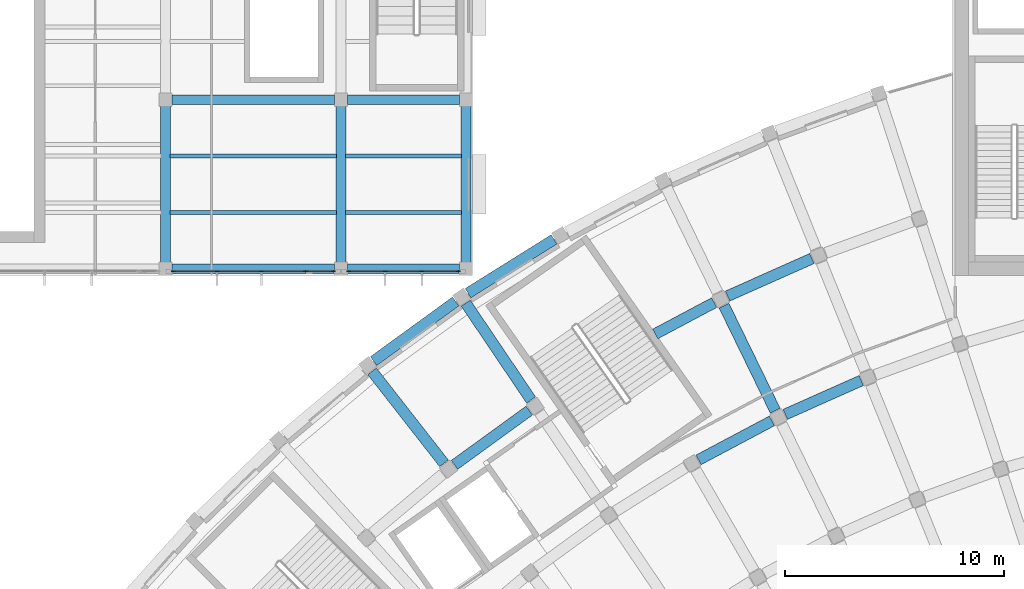
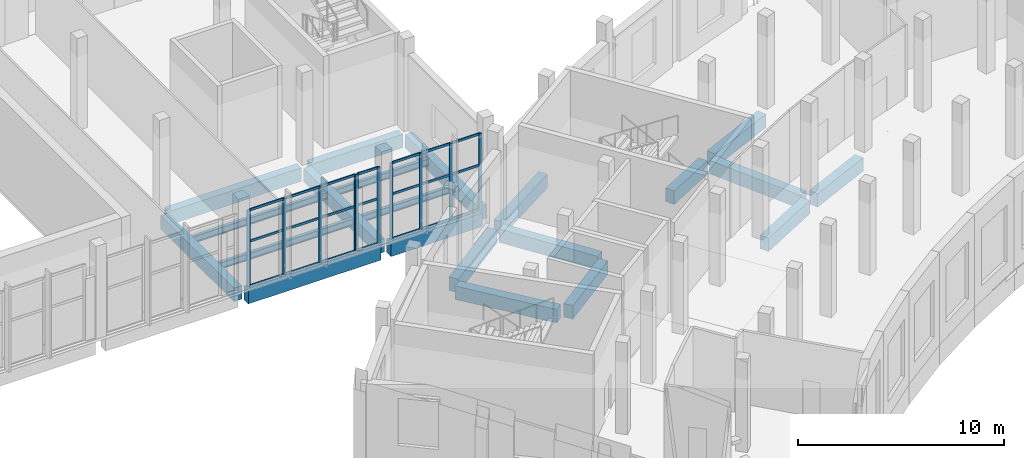
# One storey, part 7 of 87: 31 members, 21 beams, 3 elements without a shape of their own.
"""IFC4 building model written with IfcOpenShell, lengths in metres."""

from ifc_helpers import new_model, si_unit, direction, frame, origin, origin_2d, place, context, subcontext, project, spatial, rectangle, i_section, extrude, material, layer, layer_set, material_profile, profile_set, type_object, element, aggregate, save


model = new_model("IFC4")

# Units and contexts
model_context = context("Model", 3, precision=1e-05, world=origin(), true_north=direction((0.0, 1.0)))
body_context = subcontext(model_context, "Body", "Model", "MODEL_VIEW")
ifc_project = project(units=[si_unit("LENGTHUNIT", "METRE"), si_unit("AREAUNIT", "SQUARE_METRE"), si_unit("VOLUMEUNIT", "CUBIC_METRE"), si_unit("PLANEANGLEUNIT", "RADIAN"), si_unit("MASSUNIT", "GRAM", prefix="KILO")], contexts=[model_context])

# Site, building, storey
site_placement = place(None, origin())
site = spatial("IfcSite", under=ifc_project, at=site_placement, CompositionType="ELEMENT")
building_placement = place(site_placement, origin())
building = spatial("IfcBuilding", under=site, at=building_placement, Name="Lunette Opera House", CompositionType="ELEMENT")
storey_placement = place(building_placement, frame((0.0, 0.0, 11.5)))
storey = spatial("IfcBuildingStorey", under=building, at=storey_placement, Name="L02", CompositionType="ELEMENT", Elevation=11.5)

# Curtain wall, members
ifc_material_1 = material(Name="Aluminium", Category="aluminium")
ifc_layer = layer(ifc_material_1, 0.179931640625)
ifc_layer_set = layer_set([ifc_layer], Name="Aluminium")
curtain_wall_type = type_object("IfcCurtainWallType", Name="SUN FACE CURTAIN WALL", PredefinedType="NOTDEFINED", material=ifc_layer_set)
curtain_wall_1_placement = place(storey_placement, origin())
curtain_wall_1 = element("IfcCurtainWall", 1, at=curtain_wall_1_placement, inside=storey, type_object=curtain_wall_type, Name="Sun Face Curtain Wall F23-2 L02", PredefinedType="NOTDEFINED")
ifc_material_2 = material(Name="Aluminium", Category="aluminium")
ifc_material_profile_1 = material_profile(ifc_material_2, rectangle(XDim=0.06005859375, YDim=0.179931640625, at=origin_2d()), Name="MULLION 60 X 180")
ifc_profile_set_1 = profile_set([ifc_material_profile_1], Name="Aluminium")
member_type_1 = type_object("IfcMemberType", Name="MULLION 60 X 180", PredefinedType="MULLION", material=ifc_profile_set_1)
member_1_placement = place(storey_placement, frame((40.360107421875, 64.18310546875, 0.0), z_axis=(0.0, 0.0, 1.0), x_axis=(0.0, 1.0, 0.0)))
member_1 = element("IfcMember", 2, at=member_1_placement, type_object=member_type_1, Name="RW-X2040 mullion 1", PredefinedType="MULLION", context=body_context, shape_type="SweptSolid", body=[
    extrude(rectangle(XDim=0.06005859375, YDim=0.179931640625, at=origin_2d()), origin(), (0.0, 0.0, 1.0), 4.550048828125),
])
member_2_placement = place(storey_placement, frame((42.351318359375, 64.18310546875, 0.0), z_axis=(0.0, 0.0, 1.0), x_axis=(0.0, 1.0, 0.0)))
member_2 = element("IfcMember", 3, at=member_2_placement, type_object=member_type_1, Name="RW-X2040 mullion 2", PredefinedType="MULLION", context=body_context, shape_type="SweptSolid", body=[
    extrude(rectangle(XDim=0.06005859375, YDim=0.179931640625, at=origin_2d()), origin(), (0.0, 0.0, 1.0), 4.550048828125),
])
member_3_placement = place(storey_placement, frame((44.37255859375, 64.18310546875, 0.0), z_axis=(0.0, 0.0, 1.0), x_axis=(0.0, 1.0, 0.0)))
member_3 = element("IfcMember", 4, at=member_3_placement, type_object=member_type_1, Name="RW-X2040 mullion 3", PredefinedType="MULLION", context=body_context, shape_type="SweptSolid", body=[
    extrude(rectangle(XDim=0.06005859375, YDim=0.179931640625, at=origin_2d()), origin(), (0.0, 0.0, 1.0), 4.550048828125),
])
member_4_placement = place(storey_placement, frame((46.364013671875, 64.18310546875, 0.0), z_axis=(0.0, 0.0, 1.0), x_axis=(0.0, 1.0, 0.0)))
member_4 = element("IfcMember", 5, at=member_4_placement, type_object=member_type_1, Name="RW-X2040 mullion 4", PredefinedType="MULLION", context=body_context, shape_type="SweptSolid", body=[
    extrude(rectangle(XDim=0.06005859375, YDim=0.179931640625, at=origin_2d()), origin(), (0.0, 0.0, 1.0), 4.550048828125),
])

curtain_wall_2_placement = place(storey_placement, origin())
curtain_wall_2 = element("IfcCurtainWall", 6, at=curtain_wall_2_placement, inside=storey, type_object=curtain_wall_type, Name="Sun Face Curtain Wall F24-1 L02", PredefinedType="NOTDEFINED")
member_5_placement = place(storey_placement, frame((46.424072265625, 64.18310546875, 0.0), z_axis=(0.0, 0.0, 1.0), x_axis=(0.0, 1.0, 0.0)))
member_5 = element("IfcMember", 7, at=member_5_placement, type_object=member_type_1, Name="RW-X2041 mullion 1", PredefinedType="MULLION", context=body_context, shape_type="SweptSolid", body=[
    extrude(rectangle(XDim=0.06005859375, YDim=0.179931640625, at=origin_2d()), origin(), (0.0, 0.0, 1.0), 4.550048828125),
])
member_6_placement = place(storey_placement, frame((47.639892578125, 64.18310546875, 0.0), z_axis=(0.0, 0.0, 1.0), x_axis=(0.0, 1.0, 0.0)))
member_6 = element("IfcMember", 8, at=member_6_placement, type_object=member_type_1, Name="RW-X2041 mullion 2", PredefinedType="MULLION", context=body_context, shape_type="SweptSolid", body=[
    extrude(rectangle(XDim=0.06005859375, YDim=0.179931640625, at=origin_2d()), origin(), (0.0, 0.0, 1.0), 4.550048828125),
])

curtain_wall_3_placement = place(storey_placement, origin())
curtain_wall_3 = element("IfcCurtainWall", 9, at=curtain_wall_3_placement, inside=storey, type_object=curtain_wall_type, Name="Sun Face Curtain Wall F24-2 L02", PredefinedType="NOTDEFINED")
member_7_placement = place(storey_placement, frame((48.360107421875, 64.18310546875, 0.0), z_axis=(0.0, 0.0, 1.0), x_axis=(0.0, 1.0, 0.0)))
member_7 = element("IfcMember", 10, at=member_7_placement, type_object=member_type_1, Name="RW-X2042 mullion 1", PredefinedType="MULLION", context=body_context, shape_type="SweptSolid", body=[
    extrude(rectangle(XDim=0.06005859375, YDim=0.179931640625, at=origin_2d()), origin(), (0.0, 0.0, 1.0), 4.550048828125),
])
member_8_placement = place(storey_placement, frame((50.010009765625, 64.18310546875, 0.0), z_axis=(0.0, 0.0, 1.0), x_axis=(0.0, 1.0, 0.0)))
member_8 = element("IfcMember", 11, at=member_8_placement, type_object=member_type_1, Name="RW-X2042 mullion 2", PredefinedType="MULLION", context=body_context, shape_type="SweptSolid", body=[
    extrude(rectangle(XDim=0.06005859375, YDim=0.179931640625, at=origin_2d()), origin(), (0.0, 0.0, 1.0), 4.550048828125),
])
member_9_placement = place(storey_placement, frame((51.68994140625, 64.18310546875, 0.0), z_axis=(0.0, 0.0, 1.0), x_axis=(0.0, 1.0, 0.0)))
member_9 = element("IfcMember", 12, at=member_9_placement, type_object=member_type_1, Name="RW-X2042 mullion 3", PredefinedType="MULLION", context=body_context, shape_type="SweptSolid", body=[
    extrude(rectangle(XDim=0.06005859375, YDim=0.179931640625, at=origin_2d()), origin(), (0.0, 0.0, 1.0), 4.550048828125),
])
member_10_placement = place(storey_placement, frame((53.340087890625, 64.18310546875, 0.0), z_axis=(0.0, 0.0, 1.0), x_axis=(0.0, 1.0, 0.0)))
member_10 = element("IfcMember", 13, at=member_10_placement, type_object=member_type_1, Name="RW-X2042 mullion 4", PredefinedType="MULLION", context=body_context, shape_type="SweptSolid", body=[
    extrude(rectangle(XDim=0.06005859375, YDim=0.179931640625, at=origin_2d()), origin(), (0.0, 0.0, 1.0), 4.550048828125),
])

# Beams
ifc_material_3 = material(Name="Concrete C35/45", Category="concrete")
ifc_material_profile_2 = material_profile(ifc_material_3, rectangle(XDim=0.449951171875, YDim=0.800048828125, at=origin_2d()), Name="RC BEAM 450X800")
ifc_profile_set_2 = profile_set([ifc_material_profile_2], Name="Concrete C35/45")
beam_type_1 = type_object("IfcBeamType", Name="RC BEAM 450X800", PredefinedType="BEAM", material=ifc_profile_set_2)
for number, where, z_axis, x_axis, name in (
    (14, (40.0, 64.590087890625, -0.550048828125), (0.0, 1.0, 0.0), (-1.0, 0.0, 0.0), "beam-RW-L02-L02-GY40"),
    (15, (48.0, 64.590087890625, -0.550048828125), (0.0, 1.0, 0.0), (-1.0, 0.0, 0.0), "beam-RW-L02-L02-GY50"),
    (16, (53.699951171875, 64.590087890625, -0.550048828125), (0.0, 1.0, 0.0), (-1.0, 0.0, 0.0), "beam-RW-L02-L02-GY60"),
):
    element("IfcBeam", number, at=place(storey_placement, frame(where, z_axis=z_axis, x_axis=x_axis)), inside=storey, type_object=beam_type_1, Name=name, PredefinedType="BEAM", context=body_context, shape_type="SweptSolid", body=[
        extrude(rectangle(XDim=0.449951171875, YDim=0.800048828125, at=origin_2d()), origin(), (0.0, 0.0, 1.0), 7.119873046875),
    ])
beam_1_placement = place(storey_placement, frame((40.2900390625, 64.300048828125, -0.550048828125), z_axis=(1.0, 0.0, 0.0), x_axis=(0.0, 1.0, 0.0)))
element("IfcBeam", 17, at=beam_1_placement, inside=storey, type_object=beam_type_1, Name="beam-RW-L02-L02-GX40", PredefinedType="BEAM", context=body_context, shape_type="SweptSolid", body=[
    extrude(rectangle(XDim=0.449951171875, YDim=0.800048828125, at=origin_2d()), origin(), (0.0, 0.0, 1.0), 7.419921875),
])
beam_2_placement = place(storey_placement, frame((48.2900390625, 64.300048828125, -0.550048828125), z_axis=(1.0, 0.0, 0.0), x_axis=(0.0, 1.0, 0.0)))
element("IfcBeam", 18, at=beam_2_placement, inside=storey, type_object=beam_type_1, Name="beam-RW-L02-L02-GX50", PredefinedType="BEAM", context=body_context, shape_type="SweptSolid", body=[
    extrude(rectangle(XDim=0.449951171875, YDim=0.800048828125, at=origin_2d()), origin(), (0.0, 0.0, 1.0), 5.119873046875),
])
beam_3_placement = place(storey_placement, frame((40.2900390625, 72.0, -0.550048828125), z_axis=(1.0, 0.0, 0.0), x_axis=(0.0, 1.0, 0.0)))
element("IfcBeam", 19, at=beam_3_placement, inside=storey, type_object=beam_type_1, Name="beam-RW-L02-L02-GX41", PredefinedType="BEAM", context=body_context, shape_type="SweptSolid", body=[
    extrude(rectangle(XDim=0.449951171875, YDim=0.800048828125, at=origin_2d()), origin(), (0.0, 0.0, 1.0), 7.419921875),
])
beam_4_placement = place(storey_placement, frame((48.2900390625, 72.0, -0.550048828125), z_axis=(1.0, 0.0, 0.0), x_axis=(0.0, 1.0, 0.0)))
element("IfcBeam", 20, at=beam_4_placement, inside=storey, type_object=beam_type_1, Name="beam-RW-L02-L02-GX51", PredefinedType="BEAM", context=body_context, shape_type="SweptSolid", body=[
    extrude(rectangle(XDim=0.449951171875, YDim=0.800048828125, at=origin_2d()), origin(), (0.0, 0.0, 1.0), 5.119873046875),
])
ifc_material_4 = material(Name="Concrete C35/45", Category="concrete")
ifc_material_profile_3 = material_profile(ifc_material_4, rectangle(XDim=0.5, YDim=0.800048828125, at=origin_2d()), Name="RC BEAM 500X800")
ifc_profile_set_3 = profile_set([ifc_material_profile_3], Name="Concrete C35/45")
beam_type_2 = type_object("IfcBeamType", Name="RC BEAM 500X800", PredefinedType="BEAM", material=ifc_profile_set_3)
for number, where, z_axis, x_axis, name in (
    (21, (52.694091796875, 55.428955078125, -0.6201171875), (-0.615648494847, 0.788020894896, 0.0), (-0.788020894896, -0.615648494847, 0.0), "beam-FC-L02-L02-RB-RL-04-4"),
    (22, (56.666015625, 58.31494140625, -0.6201171875), (-0.559245834689, 0.829001867539, 0.0), (-0.829001867539, -0.559245834689, 0.0), "beam-FC-L02-L02-RB-RL-05-4"),
):
    element("IfcBeam", number, at=place(storey_placement, frame(where, z_axis=z_axis, x_axis=x_axis)), inside=storey, type_object=beam_type_2, Name=name, PredefinedType="BEAM", context=body_context, shape_type="SweptSolid", body=[
        extrude(rectangle(XDim=0.5, YDim=0.800048828125, at=origin_2d()), origin(), (0.0, 0.0, 1.0), 5.31982421875),
    ])
beam_5_placement = place(storey_placement, frame((67.794921875, 57.827880859375, -0.6201171875), z_axis=(-0.438307908837, 0.898824886756, 0.0), x_axis=(-0.898824886756, -0.438307908837, 0.0)))
element("IfcBeam", 23, at=beam_5_placement, inside=storey, type_object=beam_type_2, Name="beam-FC-L02-L02-RB-RL-07-3", PredefinedType="BEAM", context=body_context, shape_type="SweptSolid", body=[
    extrude(rectangle(XDim=0.5, YDim=0.800048828125, at=origin_2d()), origin(), (0.0, 0.0, 1.0), 5.320556640625),
])
for number, where, z_axis, x_axis, name in (
    (24, (64.300048828125, 55.5859375, -0.6201171875), (0.883049767383, 0.469279349988, 0.0), (-0.469279349988, 0.883049767383, 0.0), "beam-FC-L02-L02-RG-AR-B-RL-06"),
    (25, (68.2548828125, 57.660888671875, -0.6201171875), (0.913460283837, 0.406927892694, 0.0), (-0.406927892694, 0.913460283837, 0.0), "beam-FC-L02-L02-RG-AR-B-RL-07"),
):
    element("IfcBeam", number, at=place(storey_placement, frame(where, z_axis=z_axis, x_axis=x_axis)), inside=storey, type_object=beam_type_2, Name=name, PredefinedType="BEAM", context=body_context, shape_type="SweptSolid", body=[
        extrude(rectangle(XDim=0.5, YDim=0.800048828125, at=origin_2d()), origin(), (0.0, 0.0, 1.0), 3.786865234375),
    ])
beam_6_placement = place(storey_placement, frame((53.178955078125, 55.361083984375, -0.6201171875), z_axis=(0.8089996052, 0.587809185694, 0.0), x_axis=(-0.587809185694, 0.8089996052, 0.0)))
element("IfcBeam", 26, at=beam_6_placement, inside=storey, type_object=beam_type_2, Name="beam-FC-L02-L02-RG-AR-M2-RL-04", PredefinedType="BEAM", context=body_context, shape_type="SweptSolid", body=[
    extrude(rectangle(XDim=0.5, YDim=0.800048828125, at=origin_2d()), origin(), (0.0, 0.0, 1.0), 4.205322265625),
])
beam_7_placement = place(storey_placement, frame((62.324951171875, 61.325927734375, -0.6201171875), z_axis=(0.882889359825, 0.469581066811, 0.0), x_axis=(-0.469581066811, 0.882889359825, 0.0)))
element("IfcBeam", 27, at=beam_7_placement, inside=storey, type_object=beam_type_2, Name="beam-FC-L02-L02-RG-AR-M2-RL-06", PredefinedType="BEAM", context=body_context, shape_type="SweptSolid", body=[
    extrude(rectangle(XDim=0.5, YDim=0.800048828125, at=origin_2d()), origin(), (0.0, 0.0, 1.0), 3.045654296875),
])
beam_8_placement = place(storey_placement, frame((65.625, 63.053955078125, -0.6201171875), z_axis=(0.913514477547, 0.40680621838, 0.0), x_axis=(-0.40680621838, 0.913514477547, 0.0)))
element("IfcBeam", 28, at=beam_8_placement, inside=storey, type_object=beam_type_2, Name="beam-FC-L02-L02-RG-AR-M2-RL-07", PredefinedType="BEAM", context=body_context, shape_type="SweptSolid", body=[
    extrude(rectangle(XDim=0.5, YDim=0.800048828125, at=origin_2d()), origin(), (0.0, 0.0, 1.0), 4.205810546875),
])
for number, where, z_axis, x_axis, name in (
    (29, (49.485107421875, 60.089111328125, -0.6201171875), (0.809037359893, 0.58775722054, 0.0), (-0.58775722054, 0.809037359893, 0.0), "beam-FC-L02-L02-RG-AR-C-RL-04"),
    (30, (53.7900390625, 63.18701171875, -0.6201171875), (0.847962706809, 0.530055891261, 0.0), (-0.530055891261, 0.847962706809, 0.0), "beam-FC-L02-L02-RG-AR-C-RL-05"),
):
    element("IfcBeam", number, at=place(storey_placement, frame(where, z_axis=z_axis, x_axis=x_axis)), inside=storey, type_object=beam_type_2, Name=name, PredefinedType="BEAM", context=body_context, shape_type="SweptSolid", body=[
        extrude(rectangle(XDim=0.5, YDim=0.800048828125, at=origin_2d()), origin(), (0.0, 0.0, 1.0), 4.6240234375),
    ])
ifc_material_5 = material(Name="Steel S355", Category="steel")
ifc_material_profile_4 = material_profile(ifc_material_5, i_section(OverallWidth=0.179931640625, OverallDepth=0.39990234375, WebThickness=0.008544921875, FlangeThickness=0.013427734375, FilletRadius=0.02099609375, at=origin_2d()), Name="IPE 400")
ifc_profile_set_4 = profile_set([ifc_material_profile_4], Name="Steel S355")
beam_type_3 = type_object("IfcBeamType", Name="STEEL BEAM IPE 400", PredefinedType="BEAM", material=ifc_profile_set_4)
for number, where, z_axis, x_axis, name in (
    (31, (40.215087890625, 66.866943359375, -0.35009765625), (1.0, 0.0, 0.0), (0.0, 1.0, 0.0), "beam-RW-L02-L02-SX401"),
    (32, (40.215087890625, 69.43310546875, -0.35009765625), (1.0, 0.0, 0.0), (0.0, 1.0, 0.0), "beam-RW-L02-L02-SX402"),
):
    element("IfcBeam", number, at=place(storey_placement, frame(where, z_axis=z_axis, x_axis=x_axis)), inside=storey, type_object=beam_type_3, Name=name, PredefinedType="BEAM", context=body_context, shape_type="SweptSolid", body=[
        extrude(i_section(OverallWidth=0.179931640625, OverallDepth=0.39990234375, WebThickness=0.008544921875, FlangeThickness=0.013427734375, FilletRadius=0.02099609375, at=origin_2d()), origin(), (0.0, 0.0, 1.0), 7.56982421875),
    ])
for number, where, z_axis, x_axis, name in (
    (33, (48.215087890625, 66.866943359375, -0.35009765625), (1.0, 0.0, 0.0), (0.0, 1.0, 0.0), "beam-RW-L02-L02-SX501"),
    (34, (48.215087890625, 69.43310546875, -0.35009765625), (1.0, 0.0, 0.0), (0.0, 1.0, 0.0), "beam-RW-L02-L02-SX502"),
):
    element("IfcBeam", number, at=place(storey_placement, frame(where, z_axis=z_axis, x_axis=x_axis)), inside=storey, type_object=beam_type_3, Name=name, PredefinedType="BEAM", context=body_context, shape_type="SweptSolid", body=[
        extrude(i_section(OverallWidth=0.179931640625, OverallDepth=0.39990234375, WebThickness=0.008544921875, FlangeThickness=0.013427734375, FilletRadius=0.02099609375, at=origin_2d()), origin(), (0.0, 0.0, 1.0), 5.27001953125),
    ])

# Member
ifc_material_6 = material(Name="Aluminium", Category="aluminium")
ifc_material_profile_5 = material_profile(ifc_material_6, rectangle(XDim=0.06005859375, YDim=0.139892578125, at=origin_2d()), Name="TRANSOM 60 X 140")
ifc_profile_set_5 = profile_set([ifc_material_profile_5], Name="Aluminium")
member_type_2 = type_object("IfcMemberType", Name="TRANSOM 60 X 140", PredefinedType="USERDEFINED", material=ifc_profile_set_5)
member_11_placement = place(storey_placement, frame((40.389892578125, 64.18310546875, 0.030029296875), z_axis=(1.0, 0.0, 0.0), x_axis=(0.0, 1.0, 0.0)))
member_11 = element("IfcMember", 35, at=member_11_placement, type_object=member_type_2, Name="RW-X2040 transom 1.1", ObjectType="TRANSOM", PredefinedType="USERDEFINED", context=body_context, shape_type="SweptSolid", body=[
    extrude(rectangle(XDim=0.06005859375, YDim=0.139892578125, at=origin_2d()), origin(), (0.0, 0.0, 1.0), 1.931396484375),
])

member_12_placement = place(storey_placement, frame((40.389892578125, 64.18310546875, 2.675048828125), z_axis=(1.0, 0.0, 0.0), x_axis=(0.0, 1.0, 0.0)))
member_12 = element("IfcMember", 36, at=member_12_placement, type_object=member_type_2, Name="RW-X2040 transom 1.2", ObjectType="TRANSOM", PredefinedType="USERDEFINED", context=body_context, shape_type="SweptSolid", body=[
    extrude(rectangle(XDim=0.06005859375, YDim=0.139892578125, at=origin_2d()), origin(), (0.0, 0.0, 1.0), 1.931396484375),
])

member_13_placement = place(storey_placement, frame((40.389892578125, 64.18310546875, 4.52001953125), z_axis=(1.0, 0.0, 0.0), x_axis=(0.0, 1.0, 0.0)))
member_13 = element("IfcMember", 37, at=member_13_placement, type_object=member_type_2, Name="RW-X2040 transom 1.3", ObjectType="TRANSOM", PredefinedType="USERDEFINED", context=body_context, shape_type="SweptSolid", body=[
    extrude(rectangle(XDim=0.06005859375, YDim=0.139892578125, at=origin_2d()), origin(), (0.0, 0.0, 1.0), 1.931396484375),
])

member_14_placement = place(storey_placement, frame((42.38134765625, 64.18310546875, 0.030029296875), z_axis=(1.0, 0.0, 0.0), x_axis=(0.0, 1.0, 0.0)))
member_14 = element("IfcMember", 38, at=member_14_placement, type_object=member_type_2, Name="RW-X2040 transom 2.1", ObjectType="TRANSOM", PredefinedType="USERDEFINED", context=body_context, shape_type="SweptSolid", body=[
    extrude(rectangle(XDim=0.06005859375, YDim=0.139892578125, at=origin_2d()), origin(), (0.0, 0.0, 1.0), 1.96142578125),
])

member_15_placement = place(storey_placement, frame((42.38134765625, 64.18310546875, 2.675048828125), z_axis=(1.0, 0.0, 0.0), x_axis=(0.0, 1.0, 0.0)))
member_15 = element("IfcMember", 39, at=member_15_placement, type_object=member_type_2, Name="RW-X2040 transom 2.2", ObjectType="TRANSOM", PredefinedType="USERDEFINED", context=body_context, shape_type="SweptSolid", body=[
    extrude(rectangle(XDim=0.06005859375, YDim=0.139892578125, at=origin_2d()), origin(), (0.0, 0.0, 1.0), 1.96142578125),
])

member_16_placement = place(storey_placement, frame((42.38134765625, 64.18310546875, 4.52001953125), z_axis=(1.0, 0.0, 0.0), x_axis=(0.0, 1.0, 0.0)))
member_16 = element("IfcMember", 40, at=member_16_placement, type_object=member_type_2, Name="RW-X2040 transom 2.3", ObjectType="TRANSOM", PredefinedType="USERDEFINED", context=body_context, shape_type="SweptSolid", body=[
    extrude(rectangle(XDim=0.06005859375, YDim=0.139892578125, at=origin_2d()), origin(), (0.0, 0.0, 1.0), 1.96142578125),
])

member_17_placement = place(storey_placement, frame((44.402587890625, 64.18310546875, 0.030029296875), z_axis=(1.0, 0.0, 0.0), x_axis=(0.0, 1.0, 0.0)))
member_17 = element("IfcMember", 41, at=member_17_placement, type_object=member_type_2, Name="RW-X2040 transom 3.1", ObjectType="TRANSOM", PredefinedType="USERDEFINED", context=body_context, shape_type="SweptSolid", body=[
    extrude(rectangle(XDim=0.06005859375, YDim=0.139892578125, at=origin_2d()), origin(), (0.0, 0.0, 1.0), 1.931396484375),
])

member_18_placement = place(storey_placement, frame((44.402587890625, 64.18310546875, 2.675048828125), z_axis=(1.0, 0.0, 0.0), x_axis=(0.0, 1.0, 0.0)))
member_18 = element("IfcMember", 42, at=member_18_placement, type_object=member_type_2, Name="RW-X2040 transom 3.2", ObjectType="TRANSOM", PredefinedType="USERDEFINED", context=body_context, shape_type="SweptSolid", body=[
    extrude(rectangle(XDim=0.06005859375, YDim=0.139892578125, at=origin_2d()), origin(), (0.0, 0.0, 1.0), 1.931396484375),
])

member_19_placement = place(storey_placement, frame((44.402587890625, 64.18310546875, 4.52001953125), z_axis=(1.0, 0.0, 0.0), x_axis=(0.0, 1.0, 0.0)))
member_19 = element("IfcMember", 43, at=member_19_placement, type_object=member_type_2, Name="RW-X2040 transom 3.3", ObjectType="TRANSOM", PredefinedType="USERDEFINED", context=body_context, shape_type="SweptSolid", body=[
    extrude(rectangle(XDim=0.06005859375, YDim=0.139892578125, at=origin_2d()), origin(), (0.0, 0.0, 1.0), 1.931396484375),
])

aggregate(curtain_wall_1, [member_1, member_2, member_3, member_4, member_11, member_12, member_13, member_14, member_15, member_16, member_17, member_18, member_19])

member_20_placement = place(storey_placement, frame((46.4541015625, 64.18310546875, 0.030029296875), z_axis=(1.0, 0.0, 0.0), x_axis=(0.0, 1.0, 0.0)))
member_20 = element("IfcMember", 44, at=member_20_placement, type_object=member_type_2, Name="RW-X2041 transom 1.1", ObjectType="TRANSOM", PredefinedType="USERDEFINED", context=body_context, shape_type="SweptSolid", body=[
    extrude(rectangle(XDim=0.06005859375, YDim=0.139892578125, at=origin_2d()), origin(), (0.0, 0.0, 1.0), 1.156005859375),
])

member_21_placement = place(storey_placement, frame((46.4541015625, 64.18310546875, 2.675048828125), z_axis=(1.0, 0.0, 0.0), x_axis=(0.0, 1.0, 0.0)))
member_21 = element("IfcMember", 45, at=member_21_placement, type_object=member_type_2, Name="RW-X2041 transom 1.2", ObjectType="TRANSOM", PredefinedType="USERDEFINED", context=body_context, shape_type="SweptSolid", body=[
    extrude(rectangle(XDim=0.06005859375, YDim=0.139892578125, at=origin_2d()), origin(), (0.0, 0.0, 1.0), 1.156005859375),
])

member_22_placement = place(storey_placement, frame((46.4541015625, 64.18310546875, 4.52001953125), z_axis=(1.0, 0.0, 0.0), x_axis=(0.0, 1.0, 0.0)))
member_22 = element("IfcMember", 46, at=member_22_placement, type_object=member_type_2, Name="RW-X2041 transom 1.3", ObjectType="TRANSOM", PredefinedType="USERDEFINED", context=body_context, shape_type="SweptSolid", body=[
    extrude(rectangle(XDim=0.06005859375, YDim=0.139892578125, at=origin_2d()), origin(), (0.0, 0.0, 1.0), 1.156005859375),
])

aggregate(curtain_wall_2, [member_5, member_6, member_20, member_21, member_22])

member_23_placement = place(storey_placement, frame((48.389892578125, 64.18310546875, 0.030029296875), z_axis=(1.0, 0.0, 0.0), x_axis=(0.0, 1.0, 0.0)))
member_23 = element("IfcMember", 47, at=member_23_placement, type_object=member_type_2, Name="RW-X2042 transom 1.1", ObjectType="TRANSOM", PredefinedType="USERDEFINED", context=body_context, shape_type="SweptSolid", body=[
    extrude(rectangle(XDim=0.06005859375, YDim=0.139892578125, at=origin_2d()), origin(), (0.0, 0.0, 1.0), 1.590087890625),
])

member_24_placement = place(storey_placement, frame((48.389892578125, 64.18310546875, 2.675048828125), z_axis=(1.0, 0.0, 0.0), x_axis=(0.0, 1.0, 0.0)))
member_24 = element("IfcMember", 48, at=member_24_placement, type_object=member_type_2, Name="RW-X2042 transom 1.2", ObjectType="TRANSOM", PredefinedType="USERDEFINED", context=body_context, shape_type="SweptSolid", body=[
    extrude(rectangle(XDim=0.06005859375, YDim=0.139892578125, at=origin_2d()), origin(), (0.0, 0.0, 1.0), 1.590087890625),
])

member_25_placement = place(storey_placement, frame((48.389892578125, 64.18310546875, 4.52001953125), z_axis=(1.0, 0.0, 0.0), x_axis=(0.0, 1.0, 0.0)))
member_25 = element("IfcMember", 49, at=member_25_placement, type_object=member_type_2, Name="RW-X2042 transom 1.3", ObjectType="TRANSOM", PredefinedType="USERDEFINED", context=body_context, shape_type="SweptSolid", body=[
    extrude(rectangle(XDim=0.06005859375, YDim=0.139892578125, at=origin_2d()), origin(), (0.0, 0.0, 1.0), 1.590087890625),
])

member_26_placement = place(storey_placement, frame((50.0400390625, 64.18310546875, 0.030029296875), z_axis=(1.0, 0.0, 0.0), x_axis=(0.0, 1.0, 0.0)))
member_26 = element("IfcMember", 50, at=member_26_placement, type_object=member_type_2, Name="RW-X2042 transom 2.1", ObjectType="TRANSOM", PredefinedType="USERDEFINED", context=body_context, shape_type="SweptSolid", body=[
    extrude(rectangle(XDim=0.06005859375, YDim=0.139892578125, at=origin_2d()), origin(), (0.0, 0.0, 1.0), 1.619873046875),
])

member_27_placement = place(storey_placement, frame((50.0400390625, 64.18310546875, 2.675048828125), z_axis=(1.0, 0.0, 0.0), x_axis=(0.0, 1.0, 0.0)))
member_27 = element("IfcMember", 51, at=member_27_placement, type_object=member_type_2, Name="RW-X2042 transom 2.2", ObjectType="TRANSOM", PredefinedType="USERDEFINED", context=body_context, shape_type="SweptSolid", body=[
    extrude(rectangle(XDim=0.06005859375, YDim=0.139892578125, at=origin_2d()), origin(), (0.0, 0.0, 1.0), 1.619873046875),
])

member_28_placement = place(storey_placement, frame((50.0400390625, 64.18310546875, 4.52001953125), z_axis=(1.0, 0.0, 0.0), x_axis=(0.0, 1.0, 0.0)))
member_28 = element("IfcMember", 52, at=member_28_placement, type_object=member_type_2, Name="RW-X2042 transom 2.3", ObjectType="TRANSOM", PredefinedType="USERDEFINED", context=body_context, shape_type="SweptSolid", body=[
    extrude(rectangle(XDim=0.06005859375, YDim=0.139892578125, at=origin_2d()), origin(), (0.0, 0.0, 1.0), 1.619873046875),
])

member_29_placement = place(storey_placement, frame((51.719970703125, 64.18310546875, 0.030029296875), z_axis=(1.0, 0.0, 0.0), x_axis=(0.0, 1.0, 0.0)))
member_29 = element("IfcMember", 53, at=member_29_placement, type_object=member_type_2, Name="RW-X2042 transom 3.1", ObjectType="TRANSOM", PredefinedType="USERDEFINED", context=body_context, shape_type="SweptSolid", body=[
    extrude(rectangle(XDim=0.06005859375, YDim=0.139892578125, at=origin_2d()), origin(), (0.0, 0.0, 1.0), 1.590087890625),
])

member_30_placement = place(storey_placement, frame((51.719970703125, 64.18310546875, 2.675048828125), z_axis=(1.0, 0.0, 0.0), x_axis=(0.0, 1.0, 0.0)))
member_30 = element("IfcMember", 54, at=member_30_placement, type_object=member_type_2, Name="RW-X2042 transom 3.2", ObjectType="TRANSOM", PredefinedType="USERDEFINED", context=body_context, shape_type="SweptSolid", body=[
    extrude(rectangle(XDim=0.06005859375, YDim=0.139892578125, at=origin_2d()), origin(), (0.0, 0.0, 1.0), 1.590087890625),
])

member_31_placement = place(storey_placement, frame((51.719970703125, 64.18310546875, 4.52001953125), z_axis=(1.0, 0.0, 0.0), x_axis=(0.0, 1.0, 0.0)))
member_31 = element("IfcMember", 55, at=member_31_placement, type_object=member_type_2, Name="RW-X2042 transom 3.3", ObjectType="TRANSOM", PredefinedType="USERDEFINED", context=body_context, shape_type="SweptSolid", body=[
    extrude(rectangle(XDim=0.06005859375, YDim=0.139892578125, at=origin_2d()), origin(), (0.0, 0.0, 1.0), 1.590087890625),
])

aggregate(curtain_wall_3, [member_7, member_8, member_9, member_10, member_23, member_24, member_25, member_26, member_27, member_28, member_29, member_30, member_31])

save(model, "model.ifc")
